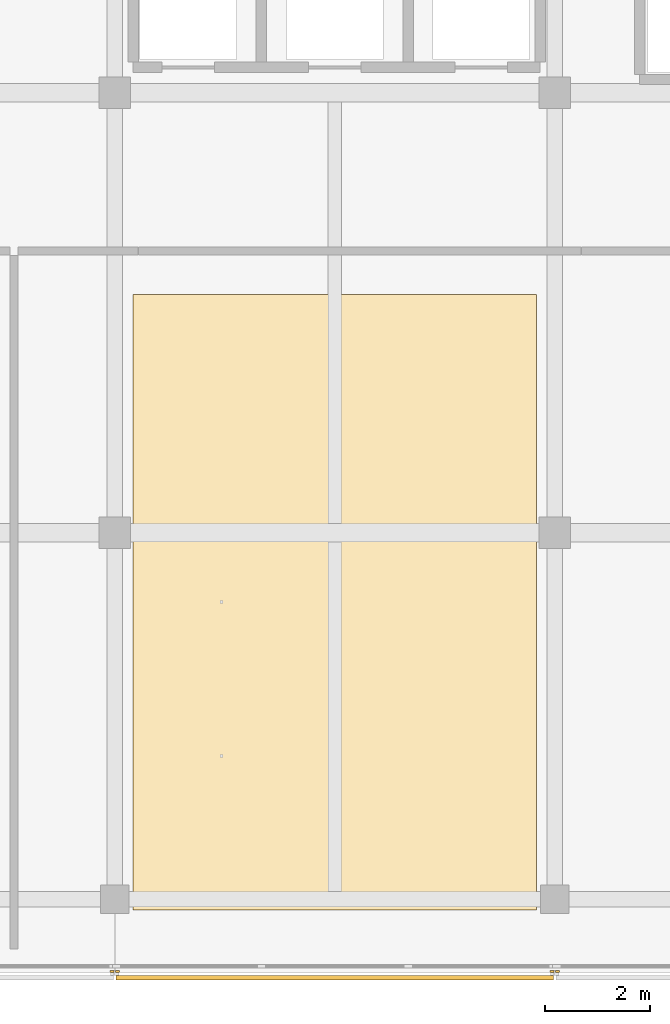
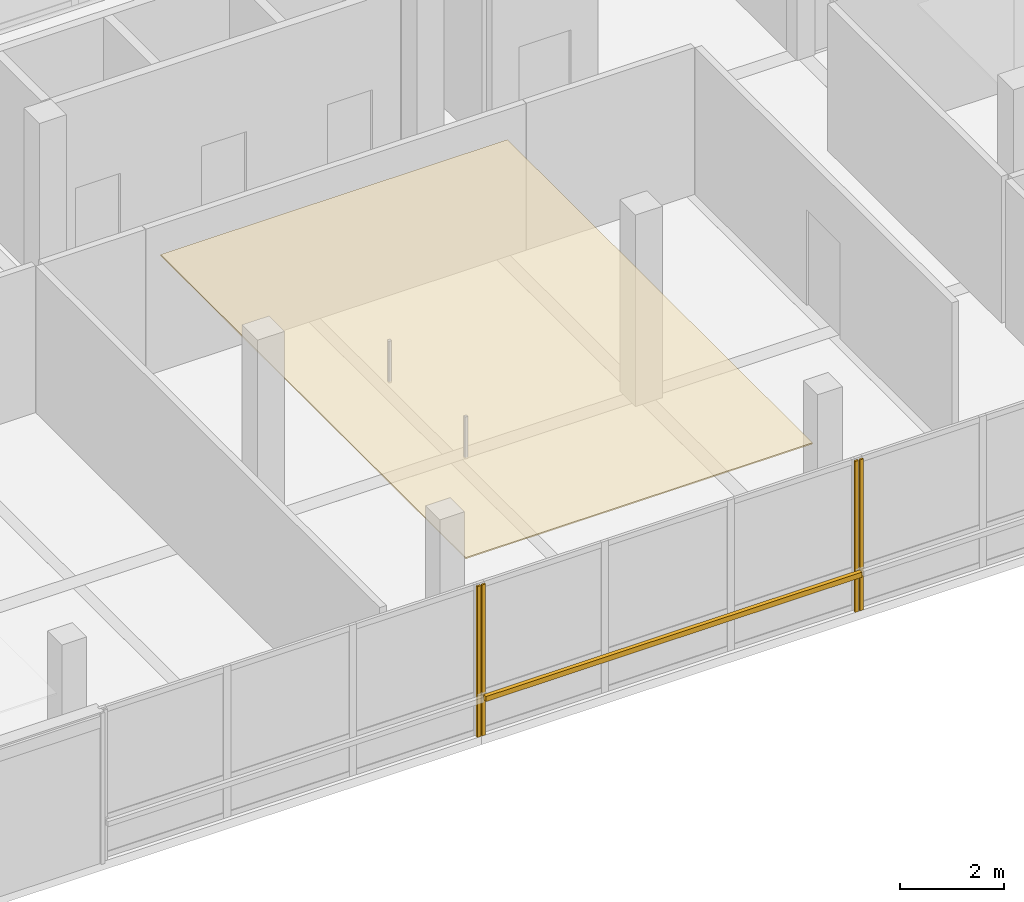
# One storey, part 17 of 25: 5 coverings, 1 shading device.
"""IFC4 building model written with IfcOpenShell, lengths in metres."""

from ifc_helpers import new_model, si_unit, direction, frame, origin, origin_2d, place, context, subcontext, project, spatial, polyline, rectangle, outline, extrude, material, layer, layer_set, type_object, element, save


model = new_model("IFC4")

# Units and contexts
model_context = context("Model", 3, precision=1e-05, world=origin(), true_north=direction((0.0, 1.0)))
body_context = subcontext(model_context, "Body", "Model", "MODEL_VIEW")
ifc_project = project(units=[si_unit("LENGTHUNIT", "METRE"), si_unit("AREAUNIT", "SQUARE_METRE"), si_unit("VOLUMEUNIT", "CUBIC_METRE"), si_unit("PLANEANGLEUNIT", "RADIAN"), si_unit("MASSUNIT", "GRAM", prefix="KILO")], contexts=[model_context])

# Site, building, storey
site_placement = place(None, origin())
site = spatial("IfcSite", under=ifc_project, at=site_placement, CompositionType="ELEMENT")
building_placement = place(site_placement, origin())
building = spatial("IfcBuilding", under=site, at=building_placement, Name="Telukmera Botanical Conservatory", CompositionType="ELEMENT")
storey_placement = place(building_placement, frame((0.0, 0.0, 64.5)))
storey = spatial("IfcBuildingStorey", under=building, at=storey_placement, Name="L14", CompositionType="ELEMENT", Elevation=64.5)

# Coverings
ifc_material_1 = material(Name="Mineral fibre acoustic ceiling")
ifc_layer_1 = layer(ifc_material_1, 0.030029296875)
ifc_layer_set_1 = layer_set([ifc_layer_1], Name="Mineral fibre acoustic ceiling")
covering_type_1 = type_object("IfcCoveringType", Name="COV-CEIL-30", PredefinedType="CEILING", material=ifc_layer_set_1)
covering_placement = place(storey_placement, frame((0.0, 0.0, 3.320068359375)))
element("IfcCovering", 1, at=covering_placement, inside=storey, type_object=covering_type_1, Name="L14 Botanical Colloquium Room Suspended Acoustic Ceiling", PredefinedType="CEILING", context=body_context, shape_type="SweptSolid", body=[
    extrude(outline(polyline([(75.945068359375, 10.39990234375), (83.655029296875, 10.39990234375), (83.655029296875, 22.14990234375), (75.945068359375, 22.14990234375), (75.945068359375, 10.39990234375)])), origin(), (0.0, 0.0, 1.0), 0.030029296875),
])
ifc_material_2 = material(Name="Granite-faced precast concrete C40/50", Category="masonry")
ifc_layer_2 = layer(ifc_material_2, 0.0400390625)
ifc_layer_set_2 = layer_set([ifc_layer_2], Name="Granite-faced precast concrete C40/50")
covering_type_2 = type_object("IfcCoveringType", Name="Granite Precast Column Pier Reveal Casing", PredefinedType="CLADDING", material=ifc_layer_set_2)
for number, where, z_axis, x_axis, name in (
    (2, (75.548095703125, 9.219970703125, 0.0), (0.0, 0.0, 1.0), (1.0, 0.0, 0.0), "Granite Pier Reveal V4:L14:S2 R"),
    (3, (75.652099609375, 9.219970703125, 0.0), (0.0, 0.0, 1.0), (1.0, 0.0, 0.0), "Granite Pier Reveal V4:L14:S3 L"),
    (4, (83.947998046875, 9.219970703125, 0.0), (0.0, 0.0, 1.0), (1.0, 0.0, 0.0), "Granite Pier Reveal V4:L14:S3 R"),
    (5, (84.052001953125, 9.219970703125, 0.0), (0.0, 0.0, 1.0), (1.0, 0.0, 0.0), "Granite Pier Reveal V4:L14:S4 L"),
):
    element("IfcCovering", number, at=place(storey_placement, frame(where, z_axis=z_axis, x_axis=x_axis)), inside=storey, type_object=covering_type_2, Name=name, PredefinedType="CLADDING", context=body_context, shape_type="SweptSolid", body=[
        extrude(rectangle(XDim=0.080078125, YDim=0.0400390625, at=origin_2d()), origin(), (0.0, 0.0, 1.0), 3.550048828125),
    ])

# Shading device
ifc_material_3 = material(Name="Perforated terracotta-anodised aluminium 6063-T6", Category="masonry")
ifc_layer_3 = layer(ifc_material_3, 0.044921875)
ifc_layer_set_3 = layer_set([ifc_layer_3], Name="Perforated terracotta-anodised aluminium 6063-T6")
shading_device_type = type_object("IfcShadingDeviceType", Name="Perforated Terracotta Aluminium Monsoon Brise Soleil", PredefinedType="JALOUSIE", material=ifc_layer_set_3)
shading_device_placement = place(storey_placement, frame((79.800048828125, 9.10498046875, 0.889892578125), z_axis=(0.0, 0.0, 1.0), x_axis=(1.0, 0.0, 0.0)))
element("IfcShadingDevice", 6, at=shading_device_placement, inside=storey, type_object=shading_device_type, Name="Monsoon Shading BS01 V4:L14:S3", PredefinedType="JALOUSIE", context=body_context, shape_type="SweptSolid", body=[
    extrude(rectangle(XDim=8.35595703125, YDim=0.090087890625, at=origin_2d()), origin(), (0.0, 0.0, 1.0), 0.1201171875),
])

save(model, "model.ifc")
